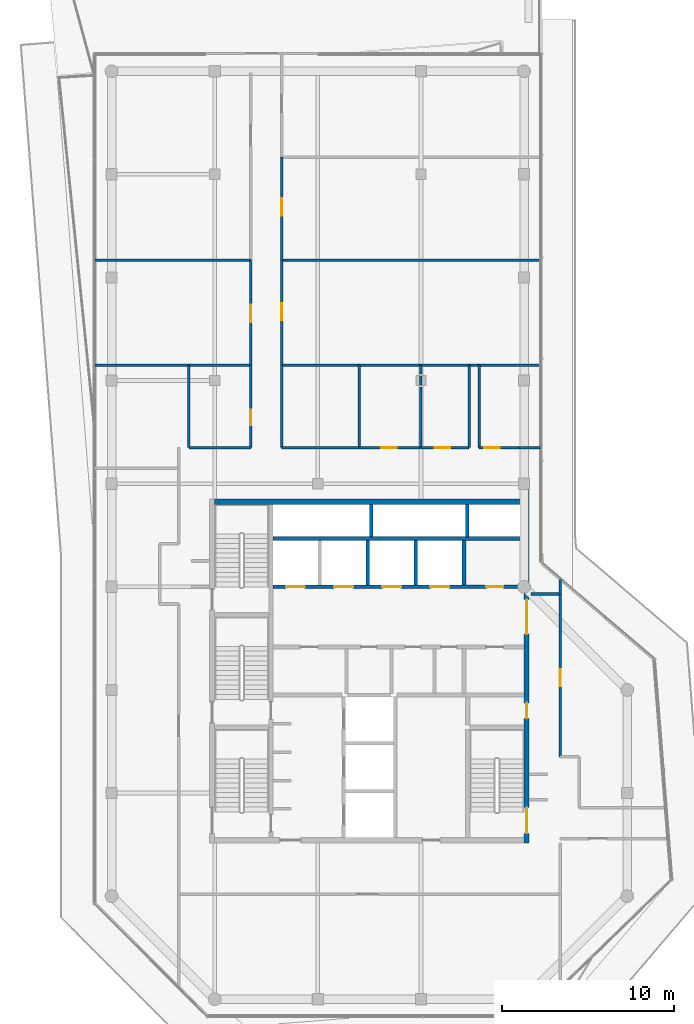
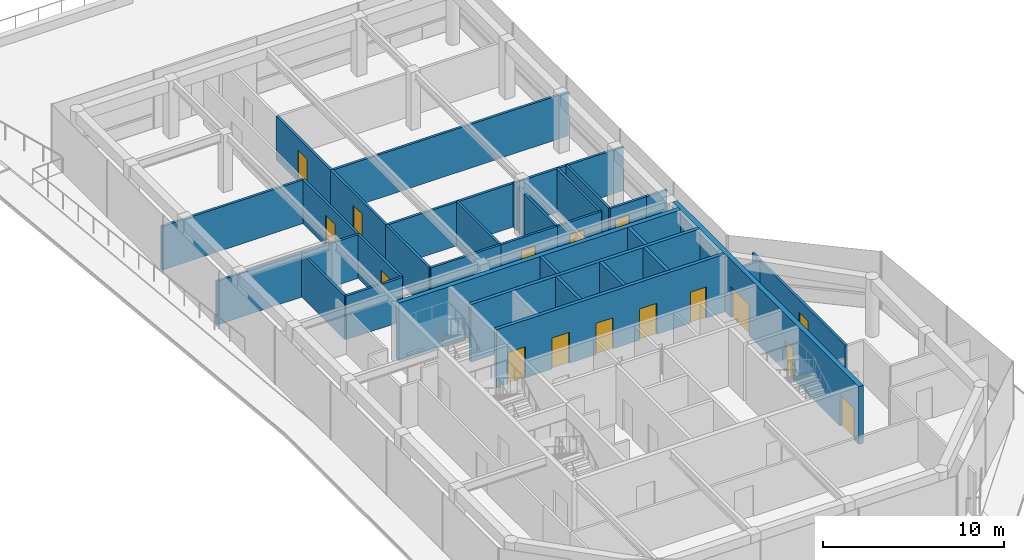
# One storey, part 17 of 20: 34 walls, 16 doors, 16 openings.
"""IFC4 building model written with IfcOpenShell, lengths in metres."""

import ifcopenshell
import ifcopenshell.guid

model = None  # the IFC model being written
_history = None  # IfcOwnerHistory: only IFC2X3 demands one
_inside = {}  # id of a spatial element -> (the spatial element, [elements in it])
_under = {}  # id of a project, library or spatial element -> (it, [spatial elements below it])
_declared = {}  # id of a project -> (the project, [libraries it declares])
_typed = {}  # id of a type object -> (the type object, [elements of that type])
_made_of = {}  # id of a material, layer set ... -> (it, [elements and type objects made of it])


def new_model(schema):
    """Start an empty IFC model of exactly this schema.

    Asked for "IFC4X3", IfcOpenShell would pick the latest addendum, in which some entities
    have other attributes; the version numbers below select the first issue.
    IFC2X3 requires an IfcOwnerHistory on every rooted entity: one is made here for all.
    """
    global model, _history
    if schema == "IFC4X3":
        model = ifcopenshell.file(schema_version=(4, 3, 0, 0))
    else:
        model = ifcopenshell.file(schema=schema)
    _inside.clear()
    _under.clear()
    _declared.clear()
    _typed.clear()
    _made_of.clear()
    _history = None
    if model.schema == "IFC2X3":
        org = make("IfcOrganization", Name="unknown")
        user = make(
            "IfcPersonAndOrganization",
            ThePerson=make("IfcPerson", FamilyName="unknown"),
            TheOrganization=org,
        )
        app = make(
            "IfcApplication",
            ApplicationDeveloper=org,
            Version="unknown",
            ApplicationFullName="unknown",
            ApplicationIdentifier="unknown",
        )
        _history = make(
            "IfcOwnerHistory",
            OwningUser=user,
            OwningApplication=app,
            ChangeAction="ADDED",
            CreationDate=0,
        )
    return model


def make(cls, **values):
    """One entity of the class cls with the attributes given. An attribute that is None is left unset."""
    return model.create_entity(
        cls, **{name: value for name, value in values.items() if value is not None}
    )


def rooted(cls, **values):
    """An entity with a GlobalId (a new one), such as an element, a storey or a relation."""
    return make(cls, GlobalId=ifcopenshell.guid.new(), OwnerHistory=_history, **values)


def si_unit(unit_type, name, prefix=None):
    """IfcSIUnit, for example si_unit("LENGTHUNIT", "METRE", prefix="MILLI")."""
    return make("IfcSIUnit", UnitType=unit_type, Prefix=prefix, Name=name)


def assignment(units):
    """IfcUnitAssignment: the units of a project."""
    return None if units is None else make("IfcUnitAssignment", Units=units)


def point(xyz):
    """IfcCartesianPoint."""
    return None if xyz is None else make("IfcCartesianPoint", Coordinates=xyz)


def direction(xyz):
    """IfcDirection."""
    return None if xyz is None else make("IfcDirection", DirectionRatios=xyz)


def frame(location, z_axis=None, x_axis=None):
    """IfcAxis2Placement3D, a coordinate frame: its origin and axes. An axis left out is left unset."""
    return make(
        "IfcAxis2Placement3D",
        Location=point(location),
        Axis=direction(z_axis),
        RefDirection=direction(x_axis),
    )


def frame_2d(location, x_axis=None):
    """IfcAxis2Placement2D, a coordinate frame in the plane: its origin and x axis."""
    return make(
        "IfcAxis2Placement2D", Location=point(location), RefDirection=direction(x_axis)
    )


def origin():
    """The frame at (0, 0, 0) with its axes left unset."""
    return frame((0.0, 0.0, 0.0))


def place(relative_to, where):
    """IfcLocalPlacement: puts the frame where relative to a parent placement (None: the world)."""
    return make(
        "IfcLocalPlacement", PlacementRelTo=relative_to, RelativePlacement=where
    )


def context(
    kind, dimensions, precision=None, world=None, true_north=None, identifier=None
):
    """IfcGeometricRepresentationContext, for example the 3D "Model" context."""
    return make(
        "IfcGeometricRepresentationContext",
        ContextIdentifier=identifier,
        ContextType=kind,
        CoordinateSpaceDimension=dimensions,
        Precision=precision,
        WorldCoordinateSystem=world,
        TrueNorth=true_north,
    )


def subcontext(parent, identifier, kind, view, scale=None):
    """IfcGeometricRepresentationSubContext, for example "Body" below "Model"."""
    return make(
        "IfcGeometricRepresentationSubContext",
        ContextIdentifier=identifier,
        ContextType=kind,
        ParentContext=parent,
        TargetScale=scale,
        TargetView=view,
    )


def project(units=None, contexts=None):
    """IfcProject with its units and contexts."""
    return rooted(
        "IfcProject",
        Name="project",
        RepresentationContexts=contexts,
        UnitsInContext=assignment(units),
    )


def spatial(cls, under=None, at=None, **own):
    """A site, building, storey or space (cls), placed at a placement, below another one or the project."""
    s = rooted(cls, ObjectPlacement=at, **own)
    if under is not None:
        _under.setdefault(under.id(), (under, []))[1].append(s)
    return s


def profile(cls, at=None, kind="AREA", **sizes):
    """A parametric profile (cls). Its sizes go by their IFC names, for example OverallWidth=200.0."""
    return make(cls, ProfileType=kind, Position=at, **sizes)


def rectangle(**sizes):
    """IfcRectangleProfileDef."""
    return profile("IfcRectangleProfileDef", **sizes)


def extrude(swept, where, along, depth):
    """IfcExtrudedAreaSolid: the profile swept, set in the frame where, extruded along a direction by depth."""
    return make(
        "IfcExtrudedAreaSolid",
        SweptArea=swept,
        Position=where,
        ExtrudedDirection=direction(along),
        Depth=depth,
    )


def shape(context_of_items, identifier, shape_type, items):
    """IfcShapeRepresentation: the items that make up one representation, for example the "Body"."""
    return make(
        "IfcShapeRepresentation",
        ContextOfItems=context_of_items,
        RepresentationIdentifier=identifier,
        RepresentationType=shape_type,
        Items=items,
    )


def material(Name=None, Category=None):
    """IfcMaterial."""
    return make("IfcMaterial", Name=Name, Category=Category)


def layer(
    of_material, thickness, ventilated=None, Name=None, Category=None, Priority=None
):
    """IfcMaterialLayer: one layer of a wall or slab, of a material (None: an air gap)."""
    return make(
        "IfcMaterialLayer",
        Material=of_material,
        LayerThickness=thickness,
        IsVentilated=ventilated,
        Name=Name,
        Category=Category,
        Priority=Priority,
    )


def layer_set(layers, Name=None):
    """IfcMaterialLayerSet."""
    return make("IfcMaterialLayerSet", MaterialLayers=layers, LayerSetName=Name)


def made_of(thing, what):
    """Note that an element or type object is made of a material, layer set ...; save() writes the relation."""
    if what is not None:
        _made_of.setdefault(what.id(), (what, []))[1].append(thing)
    return thing


def type_object(cls, material=None, **own):
    """A type object (cls), such as IfcWallType, which elements share."""
    return made_of(rooted(cls, **own), material)


def element(
    cls,
    number,
    at=None,
    inside=None,
    cuts=None,
    type_object=None,
    material=None,
    context=None,
    identifier="Body",
    shape_type=None,
    held_by="IfcProductDefinitionShape",
    body=None,
    shapes=None,
    **own,
):
    """One element of the class cls, such as IfcWall. Its Tag is "e" and its number.

    at: its placement. inside: the storey or other place that contains it. cuts: it is an
    opening in that element (IfcRelVoidsElement). A single representation is given by context,
    identifier, shape_type and body (its items); several are given by shapes. held_by: the class
    of the entity that holds the representations. save() writes the other relations.
    """
    e = rooted(cls, Tag="e%d" % number, ObjectPlacement=at, **own)
    if body is not None:
        shapes = [shape(context, identifier, shape_type, body)]
    if shapes is not None:
        e.Representation = make(held_by, Representations=shapes)
    if inside is not None:
        _inside.setdefault(inside.id(), (inside, []))[1].append(e)
    if cuts is not None:
        rooted(
            "IfcRelVoidsElement", RelatingBuildingElement=cuts, RelatedOpeningElement=e
        )
    if type_object is not None:
        _typed.setdefault(type_object.id(), (type_object, []))[1].append(e)
    return made_of(e, material)


def fill(opening, filler):
    """IfcRelFillsElement: the door or window that sits in an opening."""
    return rooted(
        "IfcRelFillsElement",
        RelatingOpeningElement=opening,
        RelatedBuildingElement=filler,
    )


def aggregate(whole, parts):
    """IfcRelAggregates: a whole, such as a stair, and the parts it consists of."""
    return rooted("IfcRelAggregates", RelatingObject=whole, RelatedObjects=parts)


def save(model, path):
    """Write the relations noted so far, then the file.

    IfcRelAggregates (storeys below a building ...), IfcRelContainedInSpatialStructure (elements
    in a storey), IfcRelDefinesByType, IfcRelAssociatesMaterial and IfcRelDeclares: one each for
    every whole, place, type object, material and project.
    """
    for whole, parts in _under.values():
        aggregate(whole, parts)
    for where, things in _inside.values():
        rooted(
            "IfcRelContainedInSpatialStructure",
            RelatedElements=things,
            RelatingStructure=where,
        )
    for kind, things in _typed.values():
        rooted("IfcRelDefinesByType", RelatedObjects=things, RelatingType=kind)
    for what, things in _made_of.values():
        rooted("IfcRelAssociatesMaterial", RelatedObjects=things, RelatingMaterial=what)
    for by, libraries in _declared.values():
        rooted("IfcRelDeclares", RelatingContext=by, RelatedDefinitions=libraries)
    model.write(path)


model = new_model("IFC4")

# Units and contexts
model_context = context("Model", 3, precision=1e-05, world=origin(), true_north=direction((0.0, 1.0)))
body_context = subcontext(model_context, "Body", "Model", "MODEL_VIEW")
ifc_project = project(units=[si_unit("LENGTHUNIT", "METRE"), si_unit("AREAUNIT", "SQUARE_METRE"), si_unit("VOLUMEUNIT", "CUBIC_METRE"), si_unit("PLANEANGLEUNIT", "RADIAN"), si_unit("MASSUNIT", "GRAM", prefix="KILO")], contexts=[model_context])

# Site, building, storey
site_placement = place(None, origin())
site = spatial("IfcSite", under=ifc_project, at=site_placement, CompositionType="ELEMENT")
building_placement = place(site_placement, origin())
building = spatial("IfcBuilding", under=site, at=building_placement, Name="Welwitschia Terrace Campus", CompositionType="ELEMENT")
storey_placement = place(building_placement, frame((0.0, 0.0, 314.60009765625)))
storey = spatial("IfcBuildingStorey", under=building, at=storey_placement, Name="L70", CompositionType="ELEMENT", Elevation=314.60009765625)

# Wall, openings, doors
ifc_material_1 = material(Name="Concrete C32/40", Category="concrete")
ifc_layer_1 = layer(ifc_material_1, 0.22509765625)
ifc_layer_set_1 = layer_set([ifc_layer_1], Name="Concrete C32/40")
wall_type_1 = type_object("IfcWallType", Name="Core partition 225 Concrete C32/40", PredefinedType="PARTITIONING", material=ifc_layer_set_1)
wall_1_placement = place(storey_placement, frame((24.0, 20.0, 0.0), z_axis=(0.0, 0.0, 1.0), x_axis=(-1.0, 0.0, 0.0)))
wall_1 = element("IfcWall", 1, at=wall_1_placement, inside=storey, type_object=wall_type_1, Name="Shaft wall", PredefinedType="PARTITIONING", context=body_context, shape_type="SweptSolid", body=[
    extrude(rectangle(XDim=14.60009765625, YDim=0.22509765625, at=frame_2d((7.300048828125, 0.0))), origin(), (0.0, 0.0, 1.0), 3.89990234375),
])
opening_1_placement = place(wall_1_placement, frame((12.75, 0.0, 0.0)))
opening_1 = element("IfcOpeningElement", 2, at=opening_1_placement, cuts=wall_1, Name="Opening LD", PredefinedType="OPENING", context=body_context, shape_type="SweptSolid", body=[
    extrude(rectangle(XDim=1.10009765625, YDim=2.10009765625, at=frame_2d((0.550048828125, 1.050048828125))), frame((0.0, 0.12255859375, 0.0), z_axis=(0.0, -1.0, 0.0), x_axis=(1.0, 0.0, 0.0)), (0.0, 0.0, 1.0), 0.2451171875),
])
opening_2_placement = place(wall_1_placement, frame((9.949951171875, 0.0, 0.0)))
opening_2 = element("IfcOpeningElement", 3, at=opening_2_placement, cuts=wall_1, Name="Opening LD", PredefinedType="OPENING", context=body_context, shape_type="SweptSolid", body=[
    extrude(rectangle(XDim=1.10009765625, YDim=2.10009765625, at=frame_2d((0.550048828125, 1.050048828125))), frame((0.0, 0.12255859375, 0.0), z_axis=(0.0, -1.0, 0.0), x_axis=(1.0, 0.0, 0.0)), (0.0, 0.0, 1.0), 0.2451171875),
])
opening_3_placement = place(wall_1_placement, frame((7.14990234375, 0.0, 0.0)))
opening_3 = element("IfcOpeningElement", 4, at=opening_3_placement, cuts=wall_1, Name="Opening LD", PredefinedType="OPENING", context=body_context, shape_type="SweptSolid", body=[
    extrude(rectangle(XDim=1.10009765625, YDim=2.10009765625, at=frame_2d((0.550048828125, 1.050048828125))), frame((0.0, 0.12255859375, 0.0), z_axis=(0.0, -1.0, 0.0), x_axis=(1.0, 0.0, 0.0)), (0.0, 0.0, 1.0), 0.2451171875),
])
opening_4_placement = place(wall_1_placement, frame((4.35009765625, 0.0, 0.0)))
opening_4 = element("IfcOpeningElement", 5, at=opening_4_placement, cuts=wall_1, Name="Opening LD", PredefinedType="OPENING", context=body_context, shape_type="SweptSolid", body=[
    extrude(rectangle(XDim=1.10009765625, YDim=2.10009765625, at=frame_2d((0.550048828125, 1.050048828125))), frame((0.0, 0.12255859375, 0.0), z_axis=(0.0, -1.0, 0.0), x_axis=(1.0, 0.0, 0.0)), (0.0, 0.0, 1.0), 0.2451171875),
])
opening_5_placement = place(wall_1_placement, frame((1.199951171875, 0.0, 0.0)))
opening_5 = element("IfcOpeningElement", 6, at=opening_5_placement, cuts=wall_1, Name="Opening DR10", PredefinedType="OPENING", context=body_context, shape_type="SweptSolid", body=[
    extrude(rectangle(XDim=1.0, YDim=2.10009765625, at=frame_2d((0.5, 1.050048828125))), frame((0.0, 0.12255859375, 0.0), z_axis=(0.0, -1.0, 0.0), x_axis=(1.0, 0.0, 0.0)), (0.0, 0.0, 1.0), 0.2451171875),
])
ifc_material_2 = material(Name="Steel S275", Category="steel")
door_type_1 = type_object("IfcDoorType", Name="Core door DR10", OperationType="SINGLE_SWING_LEFT", PredefinedType="DOOR", material=ifc_material_2)
door_1_placement = place(opening_5_placement, origin())
door_1 = element("IfcDoor", 7, at=door_1_placement, inside=storey, type_object=door_type_1, Name="Door EH-D", OperationType="SINGLE_SWING_LEFT", OverallHeight=2.10009765625, OverallWidth=1.0, PredefinedType="DOOR", context=body_context, shape_type="SweptSolid", body=[
    extrude(rectangle(XDim=1.0, YDim=2.10009765625, at=frame_2d((0.5, 1.050048828125))), frame((0.0, 0.02490234375, 0.0), z_axis=(0.0, -1.0, 0.0), x_axis=(1.0, 0.0, 0.0)), (0.0, 0.0, 1.0), 0.050048828125),
])
fill(opening_5, door_1)
ifc_material_3 = material(Name="Stainless steel 304", Category="steel")
door_type_2 = type_object("IfcDoorType", Name="Lift landing door", OperationType="DOUBLE_DOOR_SLIDING", PredefinedType="DOOR", material=ifc_material_3)
door_2_placement = place(opening_1_placement, origin())
door_2 = element("IfcDoor", 8, at=door_2_placement, inside=storey, type_object=door_type_2, Name="Landing door HR1", OperationType="DOUBLE_DOOR_SLIDING", OverallHeight=2.10009765625, OverallWidth=1.10009765625, PredefinedType="DOOR", context=body_context, shape_type="SweptSolid", body=[
    extrude(rectangle(XDim=1.10009765625, YDim=2.10009765625, at=frame_2d((0.550048828125, 1.050048828125))), frame((0.0, 0.02490234375, 0.0), z_axis=(0.0, -1.0, 0.0), x_axis=(1.0, 0.0, 0.0)), (0.0, 0.0, 1.0), 0.050048828125),
])
fill(opening_1, door_2)
door_3_placement = place(opening_2_placement, origin())
door_3 = element("IfcDoor", 9, at=door_3_placement, inside=storey, type_object=door_type_2, Name="Landing door HR2", OperationType="DOUBLE_DOOR_SLIDING", OverallHeight=2.10009765625, OverallWidth=1.10009765625, PredefinedType="DOOR", context=body_context, shape_type="SweptSolid", body=[
    extrude(rectangle(XDim=1.10009765625, YDim=2.10009765625, at=frame_2d((0.550048828125, 1.050048828125))), frame((0.0, 0.02490234375, 0.0), z_axis=(0.0, -1.0, 0.0), x_axis=(1.0, 0.0, 0.0)), (0.0, 0.0, 1.0), 0.050048828125),
])
fill(opening_2, door_3)
door_4_placement = place(opening_3_placement, origin())
door_4 = element("IfcDoor", 10, at=door_4_placement, inside=storey, type_object=door_type_2, Name="Landing door HR3", OperationType="DOUBLE_DOOR_SLIDING", OverallHeight=2.10009765625, OverallWidth=1.10009765625, PredefinedType="DOOR", context=body_context, shape_type="SweptSolid", body=[
    extrude(rectangle(XDim=1.10009765625, YDim=2.10009765625, at=frame_2d((0.550048828125, 1.050048828125))), frame((0.0, 0.02490234375, 0.0), z_axis=(0.0, -1.0, 0.0), x_axis=(1.0, 0.0, 0.0)), (0.0, 0.0, 1.0), 0.050048828125),
])
fill(opening_3, door_4)
door_5_placement = place(opening_4_placement, origin())
door_5 = element("IfcDoor", 11, at=door_5_placement, inside=storey, type_object=door_type_2, Name="Landing door HR4", OperationType="DOUBLE_DOOR_SLIDING", OverallHeight=2.10009765625, OverallWidth=1.10009765625, PredefinedType="DOOR", context=body_context, shape_type="SweptSolid", body=[
    extrude(rectangle(XDim=1.10009765625, YDim=2.10009765625, at=frame_2d((0.550048828125, 1.050048828125))), frame((0.0, 0.02490234375, 0.0), z_axis=(0.0, -1.0, 0.0), x_axis=(1.0, 0.0, 0.0)), (0.0, 0.0, 1.0), 0.050048828125),
])
fill(opening_4, door_5)

# Walls
wall_2_placement = place(storey_placement, frame((9.39990234375, 22.800048828125, 0.0), z_axis=(0.0, 0.0, 1.0), x_axis=(1.0, 0.0, 0.0)))
element("IfcWall", 12, at=wall_2_placement, inside=storey, type_object=wall_type_1, Name="Shaft wall", PredefinedType="PARTITIONING", context=body_context, shape_type="SweptSolid", body=[
    extrude(rectangle(XDim=14.60009765625, YDim=0.22509765625, at=frame_2d((7.300048828125, 0.0))), origin(), (0.0, 0.0, 1.0), 3.89990234375),
])
wall_3_placement = place(storey_placement, frame((20.5, 20.10009765625, 0.0), z_axis=(0.0, 0.0, 1.0), x_axis=(0.0, 1.0, 0.0)))
element("IfcWall", 13, at=wall_3_placement, inside=storey, type_object=wall_type_1, Name="Shaft wall", PredefinedType="PARTITIONING", context=body_context, shape_type="SweptSolid", body=[
    extrude(rectangle(XDim=2.599853515625, YDim=0.22509765625, at=frame_2d((1.2998046875, 0.0))), origin(), (0.0, 0.0, 1.0), 3.89990234375),
])
ifc_material_4 = material(Name="Concrete C50/60", Category="concrete")
ifc_layer_2 = layer(ifc_material_4, 0.199951171875)
ifc_layer_set_2 = layer_set([ifc_layer_2], Name="Concrete C50/60")
wall_type_2 = type_object("IfcWallType", Name="Core wall 200 Concrete C50/60", PredefinedType="SHEAR", material=ifc_layer_set_2)
for number, where, z_axis, x_axis, name in (
    (14, (15.10009765625, 22.89990234375, 0.0), (0.0, 0.0, 1.0), (0.0, 1.0, 0.0), "Core wall"),
    (15, (20.699951171875, 22.89990234375, 0.0), (0.0, 0.0, 1.0), (0.0, 1.0, 0.0), "Core wall"),
):
    element("IfcWall", number, at=place(storey_placement, frame(where, z_axis=z_axis, x_axis=x_axis)), inside=storey, type_object=wall_type_2, Name=name, PredefinedType="SHEAR", context=body_context, shape_type="SweptSolid", body=[
        extrude(rectangle(XDim=1.900146484375, YDim=0.199951171875, at=frame_2d((0.9501953125, 0.0))), origin(), (0.0, 0.0, 1.0), 3.89990234375),
    ])

# Wall, openings, doors
ifc_material_5 = material(Name="Concrete C50/60", Category="concrete")
ifc_layer_3 = layer(ifc_material_5, 0.300048828125)
ifc_layer_set_3 = layer_set([ifc_layer_3], Name="Concrete C50/60")
wall_type_3 = type_object("IfcWallType", Name="Core wall 300 Concrete C50/60", PredefinedType="SHEAR", material=ifc_layer_set_3)
wall_4_placement = place(storey_placement, frame((24.14990234375, 25.705078125, 0.0), z_axis=(0.0, 0.0, 1.0), x_axis=(0.0, -1.0, 0.0)))
wall_4 = element("IfcWall", 16, at=wall_4_placement, inside=storey, type_object=wall_type_3, Name="Core outer wall", PredefinedType="SHEAR", context=body_context, shape_type="SweptSolid", body=[
    extrude(rectangle(XDim=20.60498046875, YDim=0.300048828125, at=frame_2d((10.302490234375, 0.0))), origin(), (0.0, 0.0, 1.0), 3.89990234375),
])
opening_6_placement = place(wall_4_placement, frame((18.554931640625, 0.0, 0.0)))
opening_6 = element("IfcOpeningElement", 17, at=opening_6_placement, cuts=wall_4, Name="Opening DS15", PredefinedType="OPENING", context=body_context, shape_type="SweptSolid", body=[
    extrude(rectangle(XDim=1.5, YDim=2.10009765625, at=frame_2d((0.75, 1.050048828125))), frame((0.0, 0.159912109375, 0.0), z_axis=(0.0, -1.0, 0.0), x_axis=(1.0, 0.0, 0.0)), (0.0, 0.0, 1.0), 0.320068359375),
])
opening_7_placement = place(wall_4_placement, frame((12.455078125, 0.0, 0.0)))
opening_7 = element("IfcOpeningElement", 18, at=opening_7_placement, cuts=wall_4, Name="Opening DR09", PredefinedType="OPENING", context=body_context, shape_type="SweptSolid", body=[
    extrude(rectangle(XDim=0.89990234375, YDim=2.10009765625, at=frame_2d((0.449951171875, 1.050048828125))), frame((0.0, 0.159912109375, 0.0), z_axis=(0.0, -1.0, 0.0), x_axis=(1.0, 0.0, 0.0)), (0.0, 0.0, 1.0), 0.320068359375),
])
opening_8_placement = place(wall_4_placement, frame((6.455078125, 0.0, 0.0)))
opening_8 = element("IfcOpeningElement", 19, at=opening_8_placement, cuts=wall_4, Name="Opening DL20", PredefinedType="OPENING", context=body_context, shape_type="SweptSolid", body=[
    extrude(rectangle(XDim=2.0, YDim=2.10009765625, at=frame_2d((1.0, 1.050048828125))), frame((0.0, 0.159912109375, 0.0), z_axis=(0.0, -1.0, 0.0), x_axis=(1.0, 0.0, 0.0)), (0.0, 0.0, 1.0), 0.320068359375),
])
ifc_material_6 = material(Name="Steel S275", Category="steel")
door_type_3 = type_object("IfcDoorType", Name="Core door DL20", OperationType="DOUBLE_DOOR_SINGLE_SWING", PredefinedType="DOOR", material=ifc_material_6)
door_6_placement = place(opening_8_placement, origin())
door_6 = element("IfcDoor", 20, at=door_6_placement, inside=storey, type_object=door_type_3, Name="Door LOBBY-out", OperationType="DOUBLE_DOOR_SINGLE_SWING", OverallHeight=2.10009765625, OverallWidth=2.0, PredefinedType="DOOR", context=body_context, shape_type="SweptSolid", body=[
    extrude(rectangle(XDim=2.0, YDim=2.10009765625, at=frame_2d((1.0, 1.050048828125))), frame((0.0, 0.02490234375, 0.0), z_axis=(0.0, -1.0, 0.0), x_axis=(1.0, 0.0, 0.0)), (0.0, 0.0, 1.0), 0.050048828125),
])
fill(opening_8, door_6)
ifc_material_7 = material(Name="Steel S275", Category="steel")
door_type_4 = type_object("IfcDoorType", Name="Core door DR09", OperationType="SINGLE_SWING_LEFT", PredefinedType="DOOR", material=ifc_material_7)
door_7_placement = place(opening_7_placement, origin())
door_7 = element("IfcDoor", 21, at=door_7_placement, inside=storey, type_object=door_type_4, Name="Door F1B-out", OperationType="SINGLE_SWING_RIGHT", OverallHeight=2.10009765625, OverallWidth=0.89990234375, PredefinedType="DOOR", context=body_context, shape_type="SweptSolid", body=[
    extrude(rectangle(XDim=0.89990234375, YDim=2.10009765625, at=frame_2d((0.449951171875, 1.050048828125))), frame((0.0, 0.02490234375, 0.0), z_axis=(0.0, -1.0, 0.0), x_axis=(1.0, 0.0, 0.0)), (0.0, 0.0, 1.0), 0.050048828125),
])
fill(opening_7, door_7)
ifc_material_8 = material(Name="Steel S275", Category="steel")
door_type_5 = type_object("IfcDoorType", Name="Core door DS15", OperationType="DOUBLE_DOOR_SINGLE_SWING", PredefinedType="DOOR", material=ifc_material_8)
door_8_placement = place(opening_6_placement, origin())
door_8 = element("IfcDoor", 22, at=door_8_placement, inside=storey, type_object=door_type_5, Name="Door S2-out", OperationType="DOUBLE_DOOR_SINGLE_SWING", OverallHeight=2.10009765625, OverallWidth=1.5, PredefinedType="DOOR", context=body_context, shape_type="SweptSolid", body=[
    extrude(rectangle(XDim=1.5, YDim=2.10009765625, at=frame_2d((0.75, 1.050048828125))), frame((0.0, 0.02490234375, 0.0), z_axis=(0.0, -1.0, 0.0), x_axis=(1.0, 0.0, 0.0)), (0.0, 0.0, 1.0), 0.050048828125),
])
fill(opening_6, door_8)

# Walls
wall_5_placement = place(storey_placement, frame((6.0, 24.949951171875, 0.0), z_axis=(0.0, 0.0, 1.0), x_axis=(1.0, 0.0, 0.0)))
element("IfcWall", 23, at=wall_5_placement, inside=storey, type_object=wall_type_3, Name="Core outer wall", PredefinedType="SHEAR", context=body_context, shape_type="SweptSolid", body=[
    extrude(rectangle(XDim=18.0, YDim=0.300048828125, at=frame_2d((9.0, 0.0))), origin(), (0.0, 0.0, 1.0), 3.89990234375),
])
ifc_material_9 = material(Name="Gypsum board on steel studs", Category="steel")
ifc_layer_4 = layer(ifc_material_9, 0.14990234375)
ifc_layer_set_4 = layer_set([ifc_layer_4], Name="Gypsum board on steel studs")
wall_type_4 = type_object("IfcWallType", Name="Corridor partition 150 EI 30", PredefinedType="PARTITIONING", material=ifc_layer_set_4)
for number, where, z_axis, x_axis, name in (
    (24, (-0.97998046875, 32.89990234375, 0.0), (0.0, 0.0, 1.0), (1.0, 0.0, 0.0), "Partition"),
    (25, (-0.97998046875, 39.0, 0.0), (0.0, 0.0, 1.0), (1.0, 0.0, 0.0), "Partition"),
):
    element("IfcWall", number, at=place(storey_placement, frame(where, z_axis=z_axis, x_axis=x_axis)), inside=storey, type_object=wall_type_4, Name=name, PredefinedType="PARTITIONING", context=body_context, shape_type="SweptSolid", body=[
        extrude(rectangle(XDim=9.080078125, YDim=0.14990234375, at=frame_2d((4.5400390625, 0.0))), origin(), (0.0, 0.0, 1.0), 2.949951171875),
    ])
wall_6_placement = place(storey_placement, frame((4.5, 28.10009765625, 0.0), z_axis=(0.0, 0.0, 1.0), x_axis=(0.0, 1.0, 0.0)))
element("IfcWall", 26, at=wall_6_placement, inside=storey, type_object=wall_type_4, Name="Partition", PredefinedType="PARTITIONING", context=body_context, shape_type="SweptSolid", body=[
    extrude(rectangle(XDim=4.7998046875, YDim=0.14990234375, at=frame_2d((2.39990234375, 0.0))), origin(), (0.0, 0.0, 1.0), 2.949951171875),
])
wall_7_placement = place(storey_placement, frame((4.5, 28.10009765625, 0.0), z_axis=(0.0, 0.0, 1.0), x_axis=(1.0, 0.0, 0.0)))
element("IfcWall", 27, at=wall_7_placement, inside=storey, type_object=wall_type_4, Name="Partition", PredefinedType="PARTITIONING", context=body_context, shape_type="SweptSolid", body=[
    extrude(rectangle(XDim=3.60009765625, YDim=0.14990234375, at=frame_2d((1.800048828125, 0.0))), origin(), (0.0, 0.0, 1.0), 2.949951171875),
])

# Wall, opening, door
wall_8_placement = place(storey_placement, frame((8.10009765625, 28.10009765625, 0.0), z_axis=(0.0, 0.0, 1.0), x_axis=(0.0, 1.0, 0.0)))
wall_8 = element("IfcWall", 28, at=wall_8_placement, inside=storey, type_object=wall_type_4, Name="Partition", PredefinedType="PARTITIONING", context=body_context, shape_type="SweptSolid", body=[
    extrude(rectangle(XDim=4.7998046875, YDim=0.14990234375, at=frame_2d((2.39990234375, 0.0))), origin(), (0.0, 0.0, 1.0), 2.949951171875),
])
opening_9_placement = place(wall_8_placement, frame((1.300048828125, 0.0, 0.0)))
opening_9 = element("IfcOpeningElement", 29, at=opening_9_placement, cuts=wall_8, Name="Opening DI09", PredefinedType="OPENING", context=body_context, shape_type="SweptSolid", body=[
    extrude(rectangle(XDim=0.89990234375, YDim=2.10009765625, at=frame_2d((0.449951171875, 1.050048828125))), frame((0.0, 0.0849609375, 0.0), z_axis=(0.0, -1.0, 0.0), x_axis=(1.0, 0.0, 0.0)), (0.0, 0.0, 1.0), 0.169921875),
])
ifc_material_10 = material(Name="Timber veneered door", Category="wood")
door_type_6 = type_object("IfcDoorType", Name="Interior door DI09", OperationType="NOTDEFINED", PredefinedType="DOOR", material=ifc_material_10)
door_9_placement = place(opening_9_placement, origin())
door_9 = element("IfcDoor", 30, at=door_9_placement, inside=storey, type_object=door_type_6, Name="Door L70 1230", OperationType="SINGLE_SWING_LEFT", OverallHeight=2.10009765625, OverallWidth=0.89990234375, PredefinedType="DOOR", context=body_context, shape_type="SweptSolid", body=[
    extrude(rectangle(XDim=0.89990234375, YDim=2.10009765625, at=frame_2d((0.449951171875, 1.050048828125))), frame((0.0, 0.02490234375, 0.0), z_axis=(0.0, -1.0, 0.0), x_axis=(1.0, 0.0, 0.0)), (0.0, 0.0, 1.0), 0.050048828125),
])
fill(opening_9, door_9)

wall_9_placement = place(storey_placement, frame((8.10009765625, 32.89990234375, 0.0), z_axis=(0.0, 0.0, 1.0), x_axis=(0.0, 1.0, 0.0)))
wall_9 = element("IfcWall", 31, at=wall_9_placement, inside=storey, type_object=wall_type_4, Name="Partition", PredefinedType="PARTITIONING", context=body_context, shape_type="SweptSolid", body=[
    extrude(rectangle(XDim=6.10009765625, YDim=0.14990234375, at=frame_2d((3.050048828125, 0.0))), origin(), (0.0, 0.0, 1.0), 2.949951171875),
])
opening_10_placement = place(wall_9_placement, frame((2.5, 0.0, 0.0)))
opening_10 = element("IfcOpeningElement", 32, at=opening_10_placement, cuts=wall_9, Name="Opening DI10", PredefinedType="OPENING", context=body_context, shape_type="SweptSolid", body=[
    extrude(rectangle(XDim=1.0, YDim=2.10009765625, at=frame_2d((0.5, 1.050048828125))), frame((0.0, 0.0849609375, 0.0), z_axis=(0.0, -1.0, 0.0), x_axis=(1.0, 0.0, 0.0)), (0.0, 0.0, 1.0), 0.169921875),
])
ifc_material_11 = material(Name="Timber veneered door", Category="wood")
door_type_7 = type_object("IfcDoorType", Name="Interior door DI10", OperationType="NOTDEFINED", PredefinedType="DOOR", material=ifc_material_11)
door_10_placement = place(opening_10_placement, origin())
door_10 = element("IfcDoor", 33, at=door_10_placement, inside=storey, type_object=door_type_7, Name="Door L70 1231", OperationType="SINGLE_SWING_RIGHT", OverallHeight=2.10009765625, OverallWidth=1.0, PredefinedType="DOOR", context=body_context, shape_type="SweptSolid", body=[
    extrude(rectangle(XDim=1.0, YDim=2.10009765625, at=frame_2d((0.5, 1.050048828125))), frame((0.0, 0.02490234375, 0.0), z_axis=(0.0, -1.0, 0.0), x_axis=(1.0, 0.0, 0.0)), (0.0, 0.0, 1.0), 0.050048828125),
])
fill(opening_10, door_10)

# Walls
wall_10_placement = place(storey_placement, frame((9.89990234375, 28.10009765625, 0.0), z_axis=(0.0, 0.0, 1.0), x_axis=(0.0, 1.0, 0.0)))
element("IfcWall", 34, at=wall_10_placement, inside=storey, type_object=wall_type_4, Name="Partition", PredefinedType="PARTITIONING", context=body_context, shape_type="SweptSolid", body=[
    extrude(rectangle(XDim=4.7998046875, YDim=0.14990234375, at=frame_2d((2.39990234375, 0.0))), origin(), (0.0, 0.0, 1.0), 2.949951171875),
])
wall_11_placement = place(storey_placement, frame((9.89990234375, 28.10009765625, 0.0), z_axis=(0.0, 0.0, 1.0), x_axis=(1.0, 0.0, 0.0)))
element("IfcWall", 35, at=wall_11_placement, inside=storey, type_object=wall_type_4, Name="Partition", PredefinedType="PARTITIONING", context=body_context, shape_type="SweptSolid", body=[
    extrude(rectangle(XDim=4.5, YDim=0.14990234375, at=frame_2d((2.25, 0.0))), origin(), (0.0, 0.0, 1.0), 2.949951171875),
])
wall_12_placement = place(storey_placement, frame((9.89990234375, 32.89990234375, 0.0), z_axis=(0.0, 0.0, 1.0), x_axis=(1.0, 0.0, 0.0)))
element("IfcWall", 36, at=wall_12_placement, inside=storey, type_object=wall_type_4, Name="Partition", PredefinedType="PARTITIONING", context=body_context, shape_type="SweptSolid", body=[
    extrude(rectangle(XDim=15.080078125, YDim=0.14990234375, at=frame_2d((7.5400390625, 0.0))), origin(), (0.0, 0.0, 1.0), 2.949951171875),
])

# Wall, opening, door
wall_13_placement = place(storey_placement, frame((9.89990234375, 39.0, 0.0), z_axis=(0.0, 0.0, 1.0), x_axis=(0.0, -1.0, 0.0)))
wall_13 = element("IfcWall", 37, at=wall_13_placement, inside=storey, type_object=wall_type_4, Name="Partition", PredefinedType="PARTITIONING", context=body_context, shape_type="SweptSolid", body=[
    extrude(rectangle(XDim=6.10009765625, YDim=0.14990234375, at=frame_2d((3.050048828125, 0.0))), origin(), (0.0, 0.0, 1.0), 2.949951171875),
])
opening_11_placement = place(wall_13_placement, frame((2.5, 0.0, 0.0)))
opening_11 = element("IfcOpeningElement", 38, at=opening_11_placement, cuts=wall_13, Name="Opening DI10", PredefinedType="OPENING", context=body_context, shape_type="SweptSolid", body=[
    extrude(rectangle(XDim=1.0, YDim=2.10009765625, at=frame_2d((0.5, 1.050048828125))), frame((0.0, 0.0849609375, 0.0), z_axis=(0.0, -1.0, 0.0), x_axis=(1.0, 0.0, 0.0)), (0.0, 0.0, 1.0), 0.169921875),
])
door_11_placement = place(opening_11_placement, origin())
door_11 = element("IfcDoor", 39, at=door_11_placement, inside=storey, type_object=door_type_7, Name="Door L70 1233", OperationType="SINGLE_SWING_RIGHT", OverallHeight=2.10009765625, OverallWidth=1.0, PredefinedType="DOOR", context=body_context, shape_type="SweptSolid", body=[
    extrude(rectangle(XDim=1.0, YDim=2.10009765625, at=frame_2d((0.5, 1.050048828125))), frame((0.0, 0.02490234375, 0.0), z_axis=(0.0, -1.0, 0.0), x_axis=(1.0, 0.0, 0.0)), (0.0, 0.0, 1.0), 0.050048828125),
])
fill(opening_11, door_11)

# Wall
wall_14_placement = place(storey_placement, frame((9.89990234375, 39.0, 0.0), z_axis=(0.0, 0.0, 1.0), x_axis=(1.0, 0.0, 0.0)))
element("IfcWall", 40, at=wall_14_placement, inside=storey, type_object=wall_type_4, Name="Partition", PredefinedType="PARTITIONING", context=body_context, shape_type="SweptSolid", body=[
    extrude(rectangle(XDim=15.080078125, YDim=0.14990234375, at=frame_2d((7.5400390625, 0.0))), origin(), (0.0, 0.0, 1.0), 2.949951171875),
])

# Wall, opening, door
wall_15_placement = place(storey_placement, frame((9.89990234375, 45.0, 0.0), z_axis=(0.0, 0.0, 1.0), x_axis=(0.0, -1.0, 0.0)))
wall_15 = element("IfcWall", 41, at=wall_15_placement, inside=storey, type_object=wall_type_4, Name="Partition", PredefinedType="PARTITIONING", context=body_context, shape_type="SweptSolid", body=[
    extrude(rectangle(XDim=6.0, YDim=0.14990234375, at=frame_2d((3.0, 0.0))), origin(), (0.0, 0.0, 1.0), 2.949951171875),
])
opening_12_placement = place(wall_15_placement, frame((2.39990234375, 0.0, 0.0)))
opening_12 = element("IfcOpeningElement", 42, at=opening_12_placement, cuts=wall_15, Name="Opening DI10", PredefinedType="OPENING", context=body_context, shape_type="SweptSolid", body=[
    extrude(rectangle(XDim=1.0, YDim=2.10009765625, at=frame_2d((0.5, 1.050048828125))), frame((0.0, 0.0849609375, 0.0), z_axis=(0.0, -1.0, 0.0), x_axis=(1.0, 0.0, 0.0)), (0.0, 0.0, 1.0), 0.169921875),
])
door_12_placement = place(opening_12_placement, origin())
door_12 = element("IfcDoor", 43, at=door_12_placement, inside=storey, type_object=door_type_7, Name="Door L70 1234", OperationType="SINGLE_SWING_LEFT", OverallHeight=2.10009765625, OverallWidth=1.0, PredefinedType="DOOR", context=body_context, shape_type="SweptSolid", body=[
    extrude(rectangle(XDim=1.0, YDim=2.10009765625, at=frame_2d((0.5, 1.050048828125))), frame((0.0, 0.02490234375, 0.0), z_axis=(0.0, -1.0, 0.0), x_axis=(1.0, 0.0, 0.0)), (0.0, 0.0, 1.0), 0.050048828125),
])
fill(opening_12, door_12)

# Wall
wall_16_placement = place(storey_placement, frame((14.39990234375, 28.10009765625, 0.0), z_axis=(0.0, 0.0, 1.0), x_axis=(0.0, 1.0, 0.0)))
element("IfcWall", 44, at=wall_16_placement, inside=storey, type_object=wall_type_4, Name="Partition", PredefinedType="PARTITIONING", context=body_context, shape_type="SweptSolid", body=[
    extrude(rectangle(XDim=4.7998046875, YDim=0.14990234375, at=frame_2d((2.39990234375, 0.0))), origin(), (0.0, 0.0, 1.0), 2.949951171875),
])

# Wall, opening, door
wall_17_placement = place(storey_placement, frame((14.39990234375, 28.10009765625, 0.0), z_axis=(0.0, 0.0, 1.0), x_axis=(1.0, 0.0, 0.0)))
wall_17 = element("IfcWall", 45, at=wall_17_placement, inside=storey, type_object=wall_type_4, Name="Partition", PredefinedType="PARTITIONING", context=body_context, shape_type="SweptSolid", body=[
    extrude(rectangle(XDim=3.60009765625, YDim=0.14990234375, at=frame_2d((1.800048828125, 0.0))), origin(), (0.0, 0.0, 1.0), 2.949951171875),
])
opening_13_placement = place(wall_17_placement, frame((1.300048828125, 0.0, 0.0)))
opening_13 = element("IfcOpeningElement", 46, at=opening_13_placement, cuts=wall_17, Name="Opening DI09", PredefinedType="OPENING", context=body_context, shape_type="SweptSolid", body=[
    extrude(rectangle(XDim=0.89990234375, YDim=2.10009765625, at=frame_2d((0.449951171875, 1.050048828125))), frame((0.0, 0.0849609375, 0.0), z_axis=(0.0, -1.0, 0.0), x_axis=(1.0, 0.0, 0.0)), (0.0, 0.0, 1.0), 0.169921875),
])
door_13_placement = place(opening_13_placement, origin())
door_13 = element("IfcDoor", 47, at=door_13_placement, inside=storey, type_object=door_type_6, Name="Door L70 1236", OperationType="SINGLE_SWING_LEFT", OverallHeight=2.10009765625, OverallWidth=0.89990234375, PredefinedType="DOOR", context=body_context, shape_type="SweptSolid", body=[
    extrude(rectangle(XDim=0.89990234375, YDim=2.10009765625, at=frame_2d((0.449951171875, 1.050048828125))), frame((0.0, 0.02490234375, 0.0), z_axis=(0.0, -1.0, 0.0), x_axis=(1.0, 0.0, 0.0)), (0.0, 0.0, 1.0), 0.050048828125),
])
fill(opening_13, door_13)

# Wall
wall_18_placement = place(storey_placement, frame((18.0, 28.10009765625, 0.0), z_axis=(0.0, 0.0, 1.0), x_axis=(0.0, 1.0, 0.0)))
element("IfcWall", 48, at=wall_18_placement, inside=storey, type_object=wall_type_4, Name="Partition", PredefinedType="PARTITIONING", context=body_context, shape_type="SweptSolid", body=[
    extrude(rectangle(XDim=3.52978515625, YDim=0.14990234375, at=frame_2d((1.764892578125, 0.0))), origin(), (0.0, 0.0, 1.0), 2.949951171875),
])

# Wall, opening, door
wall_19_placement = place(storey_placement, frame((18.0, 28.10009765625, 0.0), z_axis=(0.0, 0.0, 1.0), x_axis=(1.0, 0.0, 0.0)))
wall_19 = element("IfcWall", 49, at=wall_19_placement, inside=storey, type_object=wall_type_4, Name="Partition", PredefinedType="PARTITIONING", context=body_context, shape_type="SweptSolid", body=[
    extrude(rectangle(XDim=2.800048828125, YDim=0.14990234375, at=frame_2d((1.39990234375, 0.0))), origin(), (0.0, 0.0, 1.0), 2.949951171875),
])
opening_14_placement = place(wall_19_placement, frame((0.800048828125, 0.0, 0.0)))
opening_14 = element("IfcOpeningElement", 50, at=opening_14_placement, cuts=wall_19, Name="Opening DI09", PredefinedType="OPENING", context=body_context, shape_type="SweptSolid", body=[
    extrude(rectangle(XDim=0.89990234375, YDim=2.10009765625, at=frame_2d((0.449951171875, 1.050048828125))), frame((0.0, 0.0849609375, 0.0), z_axis=(0.0, -1.0, 0.0), x_axis=(1.0, 0.0, 0.0)), (0.0, 0.0, 1.0), 0.169921875),
])
door_14_placement = place(opening_14_placement, origin())
door_14 = element("IfcDoor", 51, at=door_14_placement, inside=storey, type_object=door_type_6, Name="Door L70 1237", OperationType="SINGLE_SWING_RIGHT", OverallHeight=2.10009765625, OverallWidth=0.89990234375, PredefinedType="DOOR", context=body_context, shape_type="SweptSolid", body=[
    extrude(rectangle(XDim=0.89990234375, YDim=2.10009765625, at=frame_2d((0.449951171875, 1.050048828125))), frame((0.0, 0.02490234375, 0.0), z_axis=(0.0, -1.0, 0.0), x_axis=(1.0, 0.0, 0.0)), (0.0, 0.0, 1.0), 0.050048828125),
])
fill(opening_14, door_14)

# Walls
wall_20_placement = place(storey_placement, frame((18.0, 31.735595703125, 0.0), z_axis=(0.0, 0.0, 1.0), x_axis=(0.0, 1.0, 0.0)))
element("IfcWall", 52, at=wall_20_placement, inside=storey, type_object=wall_type_4, Name="Partition", PredefinedType="PARTITIONING", context=body_context, shape_type="SweptSolid", body=[
    extrude(rectangle(XDim=0.52880859375, YDim=0.14990234375, at=frame_2d((0.264404296875, 0.0))), origin(), (0.0, 0.0, 1.0), 2.949951171875),
])
wall_21_placement = place(storey_placement, frame((18.0, 32.3701171875, 0.0), z_axis=(0.0, 0.0, 1.0), x_axis=(0.0, 1.0, 0.0)))
element("IfcWall", 53, at=wall_21_placement, inside=storey, type_object=wall_type_4, Name="Partition", PredefinedType="PARTITIONING", context=body_context, shape_type="SweptSolid", body=[
    extrude(rectangle(XDim=0.52978515625, YDim=0.14990234375, at=frame_2d((0.264892578125, 0.0))), origin(), (0.0, 0.0, 1.0), 2.949951171875),
])
for number, where, z_axis, x_axis, name in (
    (54, (20.800048828125, 28.10009765625, 0.0), (0.0, 0.0, 1.0), (0.0, 1.0, 0.0), "Partition"),
    (55, (21.3798828125, 28.10009765625, 0.0), (0.0, 0.0, 1.0), (0.0, 1.0, 0.0), "Partition"),
):
    element("IfcWall", number, at=place(storey_placement, frame(where, z_axis=z_axis, x_axis=x_axis)), inside=storey, type_object=wall_type_4, Name=name, PredefinedType="PARTITIONING", context=body_context, shape_type="SweptSolid", body=[
        extrude(rectangle(XDim=4.7998046875, YDim=0.14990234375, at=frame_2d((2.39990234375, 0.0))), origin(), (0.0, 0.0, 1.0), 2.949951171875),
    ])

# Wall, opening, door
wall_22_placement = place(storey_placement, frame((21.3798828125, 28.10009765625, 0.0), z_axis=(0.0, 0.0, 1.0), x_axis=(1.0, 0.0, 0.0)))
wall_22 = element("IfcWall", 56, at=wall_22_placement, inside=storey, type_object=wall_type_4, Name="Partition", PredefinedType="PARTITIONING", context=body_context, shape_type="SweptSolid", body=[
    extrude(rectangle(XDim=2.31005859375, YDim=0.14990234375, at=frame_2d((1.155029296875, 0.0))), origin(), (0.0, 0.0, 1.0), 2.949951171875),
])
opening_15_placement = place(wall_22_placement, frame((0.31005859375, 0.0, 0.0)))
opening_15 = element("IfcOpeningElement", 57, at=opening_15_placement, cuts=wall_22, Name="Opening DI09", PredefinedType="OPENING", context=body_context, shape_type="SweptSolid", body=[
    extrude(rectangle(XDim=0.89990234375, YDim=2.10009765625, at=frame_2d((0.449951171875, 1.050048828125))), frame((0.0, 0.0849609375, 0.0), z_axis=(0.0, -1.0, 0.0), x_axis=(1.0, 0.0, 0.0)), (0.0, 0.0, 1.0), 0.169921875),
])
door_15_placement = place(opening_15_placement, origin())
door_15 = element("IfcDoor", 58, at=door_15_placement, inside=storey, type_object=door_type_6, Name="Door L70 1238", OperationType="SINGLE_SWING_LEFT", OverallHeight=2.10009765625, OverallWidth=0.89990234375, PredefinedType="DOOR", context=body_context, shape_type="SweptSolid", body=[
    extrude(rectangle(XDim=0.89990234375, YDim=2.10009765625, at=frame_2d((0.449951171875, 1.050048828125))), frame((0.0, 0.02490234375, 0.0), z_axis=(0.0, -1.0, 0.0), x_axis=(1.0, 0.0, 0.0)), (0.0, 0.0, 1.0), 0.050048828125),
])
fill(opening_15, door_15)

# Walls
wall_23_placement = place(storey_placement, frame((23.68994140625, 28.10009765625, 0.0), z_axis=(0.0, 0.0, 1.0), x_axis=(1.0, 0.0, 0.0)))
element("IfcWall", 59, at=wall_23_placement, inside=storey, type_object=wall_type_4, Name="Partition", PredefinedType="PARTITIONING", context=body_context, shape_type="SweptSolid", body=[
    extrude(rectangle(XDim=1.2900390625, YDim=0.14990234375, at=frame_2d((0.64501953125, 0.0))), origin(), (0.0, 0.0, 1.0), 2.949951171875),
])
wall_24_placement = place(storey_placement, frame((24.39990234375, 19.580078125, 0.0), z_axis=(0.0, 0.0, 1.0), x_axis=(1.0, 0.0, 0.0)))
element("IfcWall", 60, at=wall_24_placement, inside=storey, type_object=wall_type_4, Name="Partition", PredefinedType="PARTITIONING", context=body_context, shape_type="SweptSolid", body=[
    extrude(rectangle(XDim=1.7001953125, YDim=0.14990234375, at=frame_2d((0.85009765625, 0.0))), origin(), (0.0, 0.0, 1.0), 2.949951171875),
])

# Wall, opening, door
wall_25_placement = place(storey_placement, frame((26.10009765625, 19.580078125, 0.0), z_axis=(0.0, 0.0, 1.0), x_axis=(0.0, -1.0, 0.0)))
wall_25 = element("IfcWall", 61, at=wall_25_placement, inside=storey, type_object=wall_type_4, Name="Partition", PredefinedType="PARTITIONING", context=body_context, shape_type="SweptSolid", body=[
    extrude(rectangle(XDim=9.47998046875, YDim=0.14990234375, at=frame_2d((4.739990234375, 0.0))), origin(), (0.0, 0.0, 1.0), 2.949951171875),
])
opening_16_placement = place(wall_25_placement, frame((4.3798828125, 0.0, 0.0)))
opening_16 = element("IfcOpeningElement", 62, at=opening_16_placement, cuts=wall_25, Name="Opening DI10", PredefinedType="OPENING", context=body_context, shape_type="SweptSolid", body=[
    extrude(rectangle(XDim=1.0, YDim=2.10009765625, at=frame_2d((0.5, 1.050048828125))), frame((0.0, 0.0849609375, 0.0), z_axis=(0.0, -1.0, 0.0), x_axis=(1.0, 0.0, 0.0)), (0.0, 0.0, 1.0), 0.169921875),
])
door_16_placement = place(opening_16_placement, origin())
door_16 = element("IfcDoor", 63, at=door_16_placement, inside=storey, type_object=door_type_7, Name="Door L70 1240", OperationType="SINGLE_SWING_LEFT", OverallHeight=2.10009765625, OverallWidth=1.0, PredefinedType="DOOR", context=body_context, shape_type="SweptSolid", body=[
    extrude(rectangle(XDim=1.0, YDim=2.10009765625, at=frame_2d((0.5, 1.050048828125))), frame((0.0, 0.02490234375, 0.0), z_axis=(0.0, -1.0, 0.0), x_axis=(1.0, 0.0, 0.0)), (0.0, 0.0, 1.0), 0.050048828125),
])
fill(opening_16, door_16)

# Walls
wall_26_placement = place(storey_placement, frame((26.10009765625, 19.580078125, 0.0), z_axis=(0.0, 0.0, 1.0), x_axis=(0.0, 1.0, 0.0)))
element("IfcWall", 64, at=wall_26_placement, inside=storey, type_object=wall_type_4, Name="Partition", PredefinedType="PARTITIONING", context=body_context, shape_type="SweptSolid", body=[
    extrude(rectangle(XDim=0.849853515625, YDim=0.14990234375, at=frame_2d((0.4248046875, 0.0))), origin(), (0.0, 0.0, 1.0), 2.949951171875),
])
ifc_material_12 = material(Name="Concrete C32/40", Category="concrete")
ifc_layer_5 = layer(ifc_material_12, 0.199951171875)
ifc_layer_set_5 = layer_set([ifc_layer_5], Name="Concrete C32/40")
wall_type_5 = type_object("IfcWallType", Name="Shaft wall 200 Concrete C32/40", PredefinedType="SOLIDWALL", material=ifc_layer_set_5)
for number, where, z_axis, x_axis, name in (
    (65, (14.89990234375, 20.10009765625, 0.0), (0.0, 0.0, 1.0), (0.0, 1.0, 0.0), "Shaft wall"),
    (66, (17.699951171875, 20.10009765625, 0.0), (0.0, 0.0, 1.0), (0.0, 1.0, 0.0), "Shaft wall"),
):
    element("IfcWall", number, at=place(storey_placement, frame(where, z_axis=z_axis, x_axis=x_axis)), inside=storey, type_object=wall_type_5, Name=name, PredefinedType="SOLIDWALL", context=body_context, shape_type="SweptSolid", body=[
        extrude(rectangle(XDim=2.599853515625, YDim=0.199951171875, at=frame_2d((1.2998046875, 0.0))), origin(), (0.0, 0.0, 1.0), 3.89990234375),
    ])

save(model, "model.ifc")
